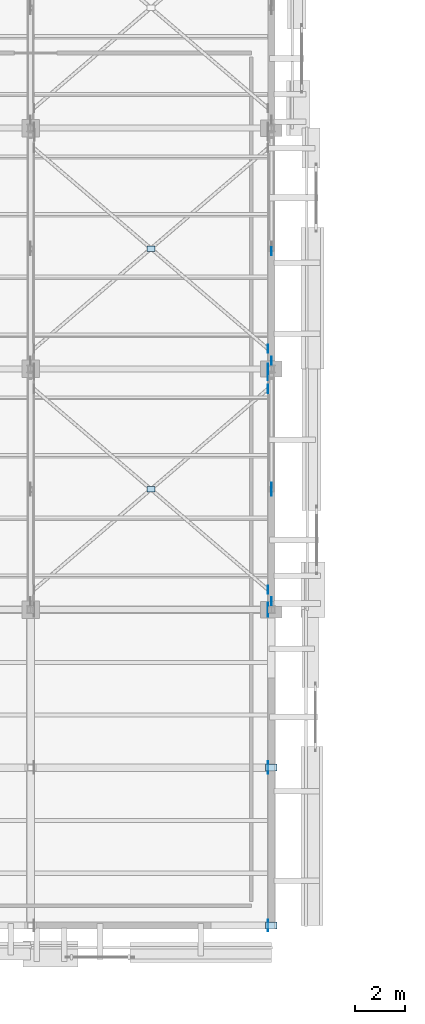
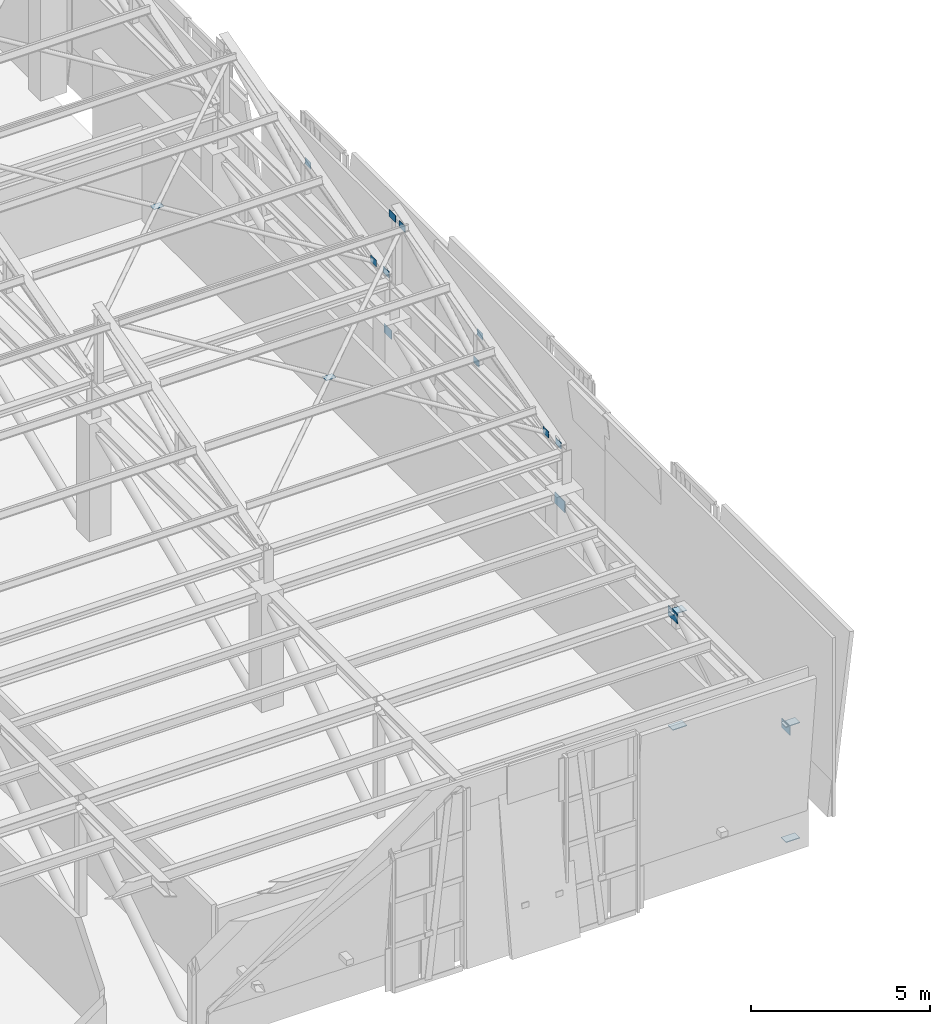
# One storey, part 47 of 71: 19 plates.
"""IFC4 building model written with IfcOpenShell, lengths in metres."""

from ifc_helpers import new_model, si_unit, direction, frame, origin, origin_2d, place, context, subcontext, project, spatial, rectangle, extrude, material, layer, layer_set, type_object, element, save


model = new_model("IFC4")

# Units and contexts
model_context = context("Model", 3, precision=1e-05, world=origin(), true_north=direction((0.0, 1.0)))
body_context = subcontext(model_context, "Body", "Model", "MODEL_VIEW")
ifc_project = project(units=[si_unit("LENGTHUNIT", "METRE"), si_unit("AREAUNIT", "SQUARE_METRE"), si_unit("VOLUMEUNIT", "CUBIC_METRE"), si_unit("PLANEANGLEUNIT", "RADIAN"), si_unit("MASSUNIT", "GRAM", prefix="KILO")], contexts=[model_context])

# Site, building, storey
site_placement = place(None, origin())
site = spatial("IfcSite", under=ifc_project, at=site_placement, CompositionType="ELEMENT")
building_placement = place(site_placement, origin())
building = spatial("IfcBuilding", under=site, at=building_placement, Name="Bempovik Park Faculty of Sciences", CompositionType="ELEMENT")
storey_placement = place(building_placement, frame((0.0, 0.0, 14.10009765625)))
storey = spatial("IfcBuildingStorey", under=building, at=storey_placement, Name="L03", CompositionType="ELEMENT", Elevation=14.10009765625)

# Plates
ifc_material = material(Name="Steel S355", Category="steel")
ifc_layer_1 = layer(ifc_material, 0.01611328125)
ifc_layer_set_1 = layer_set([ifc_layer_1], Name="Steel S355")
plate_type_1 = type_object("IfcPlateType", Name="PL-19 Steel Plate 350x240x16", PredefinedType="USERDEFINED", material=ifc_layer_set_1)
plate_1_placement = place(storey_placement, frame((117.4541015625, 29.1298828125, 7.484375), z_axis=(0.0, 0.0, 1.0), x_axis=(1.0, 0.0, 0.0)))
element("IfcPlate", 1, at=plate_1_placement, inside=storey, type_object=plate_type_1, Name="Sawtooth Ridge Gusset Plate V1-B1-117.6", ObjectType="STIFFENER PLATE", PredefinedType="USERDEFINED", context=body_context, shape_type="SweptSolid", body=[
    extrude(rectangle(XDim=0.01611328125, YDim=0.35009765625, at=origin_2d()), origin(), (0.0, 0.0, 1.0), 0.239990234375),
])
ifc_layer_2 = layer(ifc_material, 0.01806640625)
ifc_layer_set_2 = layer_set([ifc_layer_2], Name="Steel S355")
plate_type_2 = type_object("IfcPlateType", Name="PL-22 Steel Plate 420x300x18", PredefinedType="SHEET", material=ifc_layer_set_2)
plate_2_placement = place(storey_placement, frame((117.4599609375, 29.39990234375, 3.3701171875), z_axis=(0.0, 0.0, 1.0), x_axis=(1.0, 0.0, 0.0)))
element("IfcPlate", 2, at=plate_2_placement, inside=storey, type_object=plate_type_2, Name="Cantilever Gusset Plate CT7-4-T", PredefinedType="SHEET", context=body_context, shape_type="SweptSolid", body=[
    extrude(rectangle(XDim=0.01806640625, YDim=0.419921875, at=origin_2d()), origin(), (0.0, 0.0, 1.0), 0.300048828125),
])
ifc_layer_3 = layer(ifc_material, 0.02392578125)
ifc_layer_set_3 = layer_set([ifc_layer_3], Name="Steel S355")
plate_type_3 = type_object("IfcPlateType", Name="PL-25 Steel Plate 560x380x24", PredefinedType="SHEET", material=ifc_layer_set_3)
plate_3_placement = place(storey_placement, frame((117.4599609375, 19.800048828125, 3.330078125), z_axis=(0.0, 0.0, 1.0), x_axis=(1.0, 0.0, 0.0)))
element("IfcPlate", 3, at=plate_3_placement, inside=storey, type_object=plate_type_3, Name="Cantilever Gusset Plate CT7-3-T", PredefinedType="SHEET", context=body_context, shape_type="SweptSolid", body=[
    extrude(rectangle(XDim=0.02392578125, YDim=0.56005859375, at=origin_2d()), origin(), (0.0, 0.0, 1.0), 0.3798828125),
])
ifc_layer_4 = layer(ifc_material, 0.011962890625)
ifc_layer_set_4 = layer_set([ifc_layer_4], Name="Steel S355")
plate_type_4 = type_object("IfcPlateType", Name="PL-26 Steel Plate 320x220x12", PredefinedType="SHEET", material=ifc_layer_set_4)
plate_4_placement = place(storey_placement, frame((112.800048828125, 24.60009765625, 6.4921875), z_axis=(0.0, 0.0, 1.0), x_axis=(1.0, 0.0, 0.0)))
element("IfcPlate", 4, at=plate_4_placement, inside=storey, type_object=plate_type_4, Name="Sawtooth X-Brace Crossing Node Gusset V1-B1-108.0", PredefinedType="SHEET", context=body_context, shape_type="SweptSolid", body=[
    extrude(rectangle(XDim=0.320068359375, YDim=0.219970703125, at=origin_2d()), origin(), (0.0, 0.0, 1.0), 0.011962890625),
])
for number, where, z_axis, x_axis, name in (
    (5, (117.464111328125, 28.60009765625, 7.46044921875), (0.0, 0.0, 1.0), (1.0, 0.0, 0.0), "Sawtooth X-Brace End Gusset V1-B1-108.0-2"),
    (6, (117.464111328125, 20.60009765625, 5.31640625), (0.0, 0.0, 1.0), (1.0, 0.0, 0.0), "Sawtooth X-Brace End Gusset V1-B1-108.0-4"),
):
    element("IfcPlate", number, at=place(storey_placement, frame(where, z_axis=z_axis, x_axis=x_axis)), inside=storey, type_object=plate_type_4, Name=name, PredefinedType="SHEET", context=body_context, shape_type="SweptSolid", body=[
        extrude(rectangle(XDim=0.011962890625, YDim=0.320068359375, at=origin_2d()), origin(), (0.0, 0.0, 1.0), 0.219970703125),
    ])
plate_5_placement = place(storey_placement, frame((112.800048828125, 34.199951171875, 6.4921875), z_axis=(0.0, 0.0, 1.0), x_axis=(1.0, 0.0, 0.0)))
element("IfcPlate", 7, at=plate_5_placement, inside=storey, type_object=plate_type_4, Name="Sawtooth X-Brace Crossing Node Gusset V1-B2-108.0", PredefinedType="SHEET", context=body_context, shape_type="SweptSolid", body=[
    extrude(rectangle(XDim=0.320068359375, YDim=0.219970703125, at=origin_2d()), origin(), (0.0, 0.0, 1.0), 0.011962890625),
])
for number, where, z_axis, x_axis, name in (
    (8, (117.464111328125, 30.199951171875, 5.31640625), (0.0, 0.0, 1.0), (1.0, 0.0, 0.0), "Sawtooth X-Brace End Gusset V1-B2-108.0-4"),
    (9, (117.60009765625, 20.1298828125, 5.17578125), (0.0, 0.0, 1.0), (1.0, 0.0, 0.0), "Brace/Strut End Gusset Plate SAW-V1-B1-D1-1176-E1"),
    (10, (117.60009765625, 24.4951171875, 6.228515625), (0.0, 0.0, 1.0), (1.0, 0.0, 0.0), "Brace/Strut End Gusset Plate SAW-V1-B1-D1-1176-E2"),
    (11, (117.60009765625, 24.705078125, 5.17578125), (0.0, 0.0, 1.0), (1.0, 0.0, 0.0), "Brace/Strut End Gusset Plate SAW-V1-B1-D2-1176-E1"),
    (12, (117.60009765625, 29.72998046875, 5.17578125), (0.0, 0.0, 1.0), (1.0, 0.0, 0.0), "Brace/Strut End Gusset Plate SAW-V1-B2-D1-1176-E1"),
    (13, (117.60009765625, 34.094970703125, 6.228515625), (0.0, 0.0, 1.0), (1.0, 0.0, 0.0), "Brace/Strut End Gusset Plate SAW-V1-B2-D1-1176-E2"),
):
    element("IfcPlate", number, at=place(storey_placement, frame(where, z_axis=z_axis, x_axis=x_axis)), inside=storey, type_object=plate_type_4, Name=name, PredefinedType="SHEET", context=body_context, shape_type="SweptSolid", body=[
        extrude(rectangle(XDim=0.011962890625, YDim=0.320068359375, at=origin_2d()), origin(), (0.0, 0.0, 1.0), 0.219970703125),
    ])
ifc_layer_5 = layer(ifc_material, 0.02001953125)
ifc_layer_set_5 = layer_set([ifc_layer_5], Name="Steel S355")
plate_type_5 = type_object("IfcPlateType", Name="PL-30 Steel Plate 460x320x20", PredefinedType="SHEET", material=ifc_layer_set_5)
plate_6_placement = place(storey_placement, frame((117.4599609375, 7.199951171875, 3.35986328125), z_axis=(0.0, 0.0, 1.0), x_axis=(1.0, 0.0, 0.0)))
element("IfcPlate", 14, at=plate_6_placement, inside=storey, type_object=plate_type_5, Name="Cantilever Gusset Plate CT7-1-T", PredefinedType="SHEET", context=body_context, shape_type="SweptSolid", body=[
    extrude(rectangle(XDim=0.02001953125, YDim=0.4599609375, at=origin_2d()), origin(), (0.0, 0.0, 1.0), 0.320068359375),
])
ifc_layer_6 = layer(ifc_material, 0.02001953125)
ifc_layer_set_6 = layer_set([ifc_layer_6], Name="Steel S355")
plate_type_6 = type_object("IfcPlateType", Name="PL-36 Steel Plate 450x280x20", PredefinedType="USERDEFINED", material=ifc_layer_set_6)
for number, where, z_axis, x_axis, name in (
    (15, (117.60009765625, 7.199951171875, 3.61181640625), (0.0, 0.0, 1.0), (1.0, 0.0, 0.0), "Cantilever Post End Cap Plate CT7-1-T"),
    (16, (117.60009765625, 7.199951171875, -0.31201171875), (0.0, 0.0, 1.0), (1.0, 0.0, 0.0), "Cantilever Post End Cap Plate CT7-1-MB"),
    (17, (117.60009765625, 13.5, 3.61181640625), (0.0, 0.0, 1.0), (1.0, 0.0, 0.0), "Cantilever Post End Cap Plate CT7-2-T"),
    (18, (117.60009765625, 13.5, -0.31201171875), (0.0, 0.0, 1.0), (1.0, 0.0, 0.0), "Cantilever Post End Cap Plate CT7-2-MB"),
):
    element("IfcPlate", number, at=place(storey_placement, frame(where, z_axis=z_axis, x_axis=x_axis)), inside=storey, type_object=plate_type_6, Name=name, ObjectType="STIFFENER PLATE", PredefinedType="USERDEFINED", context=body_context, shape_type="SweptSolid", body=[
        extrude(rectangle(XDim=0.449951171875, YDim=0.280029296875, at=origin_2d()), origin(), (0.0, 0.0, 1.0), 0.02001953125),
    ])
ifc_layer_7 = layer(ifc_material, 0.02197265625)
ifc_layer_set_7 = layer_set([ifc_layer_7], Name="Steel S355")
plate_type_7 = type_object("IfcPlateType", Name="PL-46 Steel Plate 500x340x22", PredefinedType="SHEET", material=ifc_layer_set_7)
plate_7_placement = place(storey_placement, frame((117.4599609375, 13.5, 3.35009765625), z_axis=(0.0, 0.0, 1.0), x_axis=(1.0, 0.0, 0.0)))
element("IfcPlate", 19, at=plate_7_placement, inside=storey, type_object=plate_type_7, Name="Cantilever Gusset Plate CT7-2-T", PredefinedType="SHEET", context=body_context, shape_type="SweptSolid", body=[
    extrude(rectangle(XDim=0.02197265625, YDim=0.5, at=origin_2d()), origin(), (0.0, 0.0, 1.0), 0.340087890625),
])

save(model, "model.ifc")
